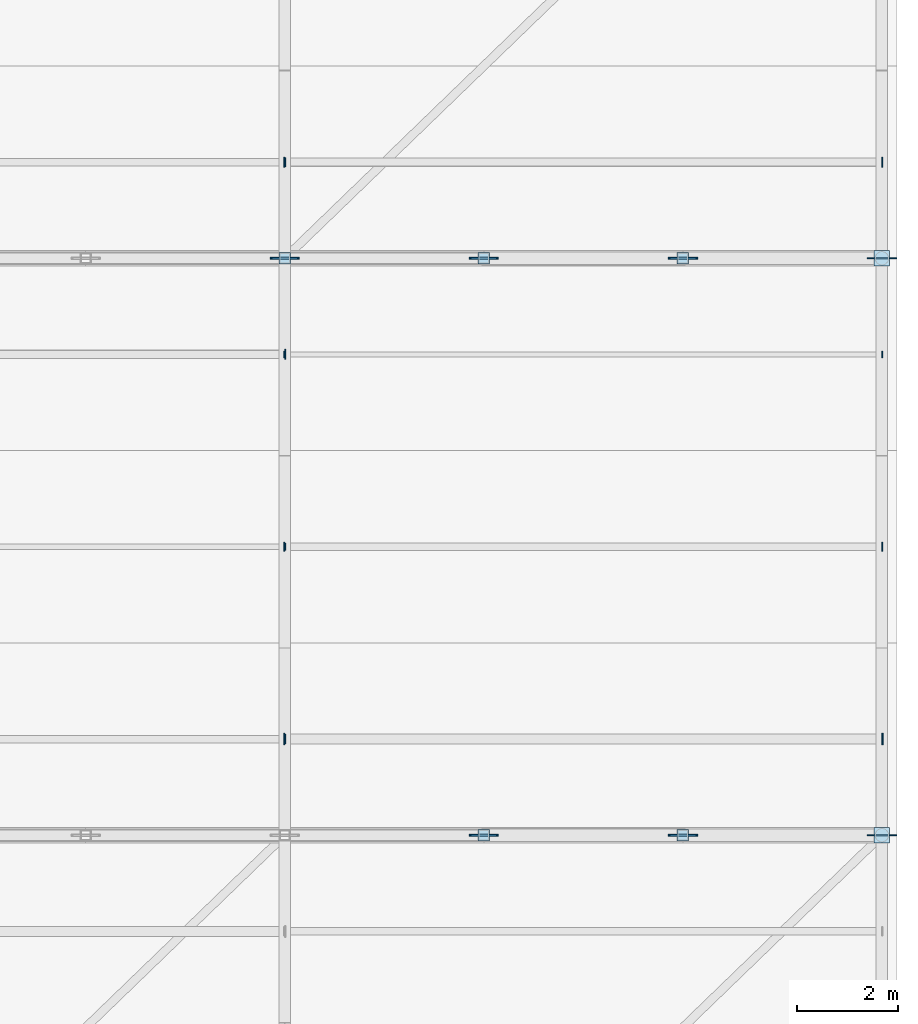
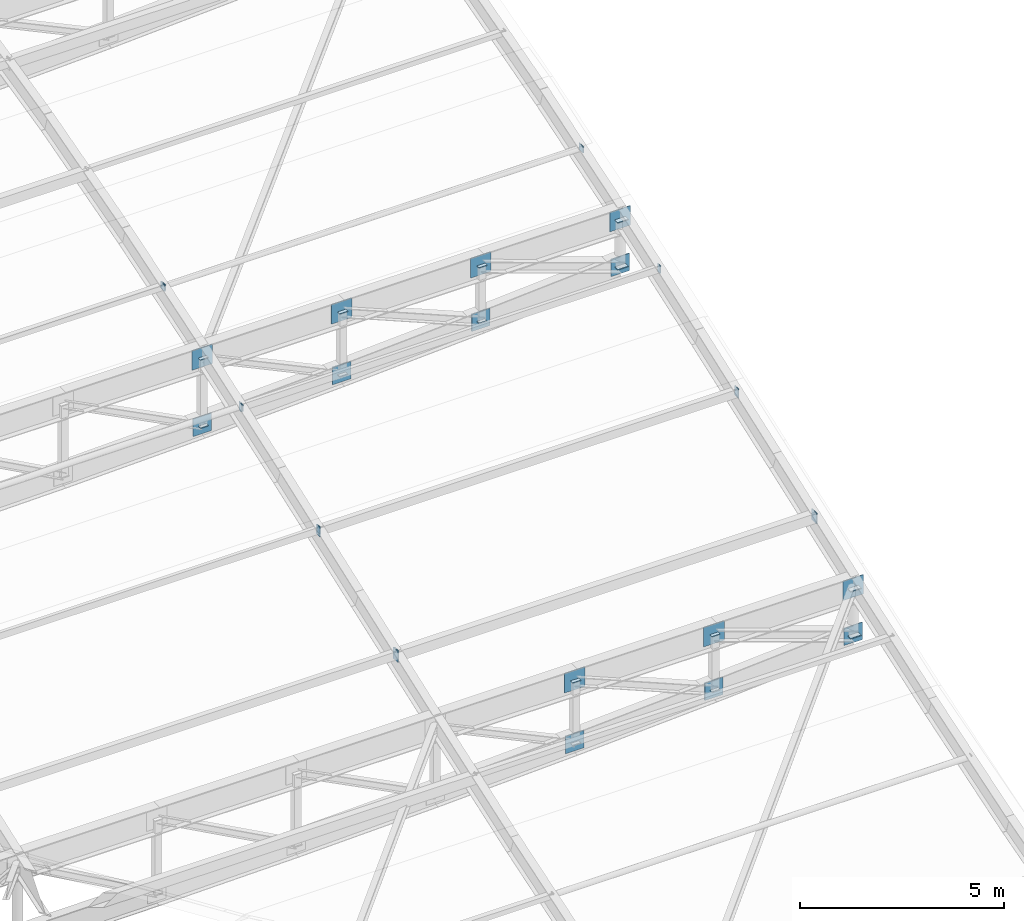
# One storey, part 57 of 65: 40 plates.
"""IFC4 building model written with IfcOpenShell, lengths in metres."""

from ifc_helpers import new_model, si_unit, direction, frame, origin, origin_2d, place, context, subcontext, project, spatial, rectangle, extrude, material, layer, layer_set, type_object, element, save


model = new_model("IFC4")

# Units and contexts
model_context = context("Model", 3, precision=1e-05, world=origin(), true_north=direction((0.0, 1.0)))
body_context = subcontext(model_context, "Body", "Model", "MODEL_VIEW")
ifc_project = project(units=[si_unit("LENGTHUNIT", "METRE"), si_unit("AREAUNIT", "SQUARE_METRE"), si_unit("VOLUMEUNIT", "CUBIC_METRE"), si_unit("PLANEANGLEUNIT", "RADIAN"), si_unit("MASSUNIT", "GRAM", prefix="KILO"), si_unit("POWERUNIT", "WATT"), si_unit("THERMODYNAMICTEMPERATUREUNIT", "KELVIN")], contexts=[model_context])

# Site, building, storey
site_placement = place(None, origin())
site = spatial("IfcSite", under=ifc_project, at=site_placement, CompositionType="ELEMENT")
building_placement = place(site_placement, origin())
building = spatial("IfcBuilding", under=site, at=building_placement, Name="Kelmbourne Parkland Aquatics Centre", CompositionType="ELEMENT")
storey_placement = place(building_placement, frame((0.0, 0.0, 27.0)))
storey = spatial("IfcBuildingStorey", under=building, at=storey_placement, Name="RF", CompositionType="ELEMENT", Elevation=27.0)

# Plates
ifc_material = material(Name="Welded plate steel AS/NZS 3678 Grade 350", Category="steel")
ifc_layer_1 = layer(ifc_material, 0.02001953125)
ifc_layer_set_1 = layer_set([ifc_layer_1], Name="Welded plate steel AS/NZS 3678 Grade 350")
plate_type_1 = type_object("IfcPlateType", Name="PL-CAP-20", PredefinedType="USERDEFINED", material=ifc_layer_set_1)
for number, where, z_axis, x_axis, name in (
    (1, (167.333251953125, 80.60009765625, -9.17626953125), (0.0, 0.0, 1.0), (1.0, 0.0, 0.0), "Hollow end cap plate CAP-0217"),
    (2, (167.333251953125, 80.60009765625, -7.30615234375), (0.0, 0.0, 1.0), (1.0, 0.0, 0.0), "Hollow end cap plate CAP-0218"),
    (3, (171.2666015625, 80.60009765625, -8.9638671875), (0.0, 0.0, 1.0), (1.0, 0.0, 0.0), "Hollow end cap plate CAP-0219"),
    (4, (171.2666015625, 80.60009765625, -7.30615234375), (0.0, 0.0, 1.0), (1.0, 0.0, 0.0), "Hollow end cap plate CAP-0220"),
    (5, (163.39990234375, 92.0, -5.239501953125), (0.0, 0.0, 1.0), (1.0, 0.0, 0.0), "Hollow end cap plate CAP-0241"),
    (6, (163.39990234375, 92.0, -3.203857421875), (0.0, 0.0, 1.0), (1.0, 0.0, 0.0), "Hollow end cap plate CAP-0242"),
    (7, (167.333251953125, 92.0, -5.07421875), (0.0, 0.0, 1.0), (1.0, 0.0, 0.0), "Hollow end cap plate CAP-0243"),
    (8, (167.333251953125, 92.0, -3.203857421875), (0.0, 0.0, 1.0), (1.0, 0.0, 0.0), "Hollow end cap plate CAP-0244"),
    (9, (171.2666015625, 92.0, -4.861572265625), (0.0, 0.0, 1.0), (1.0, 0.0, 0.0), "Hollow end cap plate CAP-0245"),
    (10, (171.2666015625, 92.0, -3.203857421875), (0.0, 0.0, 1.0), (1.0, 0.0, 0.0), "Hollow end cap plate CAP-0246"),
):
    element("IfcPlate", number, at=place(storey_placement, frame(where, z_axis=z_axis, x_axis=x_axis)), inside=storey, type_object=plate_type_1, Name=name, ObjectType="END CAP PLATE", PredefinedType="USERDEFINED", context=body_context, shape_type="SweptSolid", body=[
        extrude(rectangle(XDim=0.22998046875, YDim=0.22998046875, at=origin_2d()), origin(), (0.0, 0.0, 1.0), 0.02001953125),
    ])
plate_1_placement = place(storey_placement, frame((163.408935546875, 82.5, -6.44775390625), z_axis=(0.0, 0.0, 1.0), x_axis=(1.0, 0.0, 0.0)))
element("IfcPlate", 11, at=plate_1_placement, inside=storey, type_object=plate_type_1, Name="Hollow end cap plate CAP-0474", ObjectType="END CAP PLATE", PredefinedType="USERDEFINED", context=body_context, shape_type="SweptSolid", body=[
    extrude(rectangle(XDim=0.02001953125, YDim=0.179931640625, at=origin_2d()), origin(), (0.0, 0.0, 1.0), 0.280029296875),
])
plate_2_placement = place(storey_placement, frame((163.408935546875, 86.300048828125, -5.012451171875), z_axis=(0.0, 0.0, 1.0), x_axis=(1.0, 0.0, 0.0)))
element("IfcPlate", 12, at=plate_2_placement, inside=storey, type_object=plate_type_1, Name="Hollow end cap plate CAP-0482", ObjectType="END CAP PLATE", PredefinedType="USERDEFINED", context=body_context, shape_type="SweptSolid", body=[
    extrude(rectangle(XDim=0.02001953125, YDim=0.1298828125, at=origin_2d()), origin(), (0.0, 0.0, 1.0), 0.22998046875),
])
for number, where, z_axis, x_axis, name in (
    (13, (163.39111328125, 86.300048828125, -5.0625), (0.0, 0.0, 1.0), (-1.0, 0.0, 0.0), "Hollow end cap plate CAP-0483"),
    (14, (175.208984375, 86.300048828125, -5.0625), (0.0, 0.0, 1.0), (1.0, 0.0, 0.0), "Hollow end cap plate CAP-0484"),
):
    element("IfcPlate", number, at=place(storey_placement, frame(where, z_axis=z_axis, x_axis=x_axis)), inside=storey, type_object=plate_type_1, Name=name, ObjectType="END CAP PLATE", PredefinedType="USERDEFINED", context=body_context, shape_type="SweptSolid", body=[
        extrude(rectangle(XDim=0.02001953125, YDim=0.179931640625, at=origin_2d()), origin(), (0.0, 0.0, 1.0), 0.280029296875),
    ])
plate_3_placement = place(storey_placement, frame((163.408935546875, 90.10009765625, -3.622314453125), z_axis=(0.0, 0.0, 1.0), x_axis=(1.0, 0.0, 0.0)))
element("IfcPlate", 15, at=plate_3_placement, inside=storey, type_object=plate_type_1, Name="Hollow end cap plate CAP-0490", ObjectType="END CAP PLATE", PredefinedType="USERDEFINED", context=body_context, shape_type="SweptSolid", body=[
    extrude(rectangle(XDim=0.02001953125, YDim=0.1982421875, at=origin_2d()), origin(), (0.0, 0.0, 1.0), 0.1982421875),
])
for number, where, z_axis, x_axis, name in (
    (16, (163.39111328125, 90.10009765625, -3.65380859375), (0.0, 0.0, 1.0), (-1.0, 0.0, 0.0), "Hollow end cap plate CAP-0491"),
    (17, (175.208984375, 90.10009765625, -3.65380859375), (0.0, 0.0, 1.0), (1.0, 0.0, 0.0), "Hollow end cap plate CAP-0492"),
):
    element("IfcPlate", number, at=place(storey_placement, frame(where, z_axis=z_axis, x_axis=x_axis)), inside=storey, type_object=plate_type_1, Name=name, ObjectType="END CAP PLATE", PredefinedType="USERDEFINED", context=body_context, shape_type="SweptSolid", body=[
        extrude(rectangle(XDim=0.02001953125, YDim=0.1298828125, at=origin_2d()), origin(), (0.0, 0.0, 1.0), 0.22998046875),
    ])
plate_4_placement = place(storey_placement, frame((163.408935546875, 93.89990234375, -2.32421875), z_axis=(0.0, 0.0, 1.0), x_axis=(1.0, 0.0, 0.0)))
element("IfcPlate", 18, at=plate_4_placement, inside=storey, type_object=plate_type_1, Name="Hollow end cap plate CAP-0498", ObjectType="END CAP PLATE", PredefinedType="USERDEFINED", context=body_context, shape_type="SweptSolid", body=[
    extrude(rectangle(XDim=0.02001953125, YDim=0.179931640625, at=origin_2d()), origin(), (0.0, 0.0, 1.0), 0.179931640625),
])
for number, where, z_axis, x_axis, name in (
    (19, (163.39111328125, 93.89990234375, -2.342529296875), (0.0, 0.0, 1.0), (-1.0, 0.0, 0.0), "Hollow end cap plate CAP-0499"),
    (20, (175.208984375, 93.89990234375, -2.342529296875), (0.0, 0.0, 1.0), (1.0, 0.0, 0.0), "Hollow end cap plate CAP-0500"),
):
    element("IfcPlate", number, at=place(storey_placement, frame(where, z_axis=z_axis, x_axis=x_axis)), inside=storey, type_object=plate_type_1, Name=name, ObjectType="END CAP PLATE", PredefinedType="USERDEFINED", context=body_context, shape_type="SweptSolid", body=[
        extrude(rectangle(XDim=0.02001953125, YDim=0.1982421875, at=origin_2d()), origin(), (0.0, 0.0, 1.0), 0.1982421875),
    ])
ifc_layer_2 = layer(ifc_material, 0.02392578125)
ifc_layer_set_2 = layer_set([ifc_layer_2], Name="Welded plate steel AS/NZS 3678 Grade 350")
plate_type_2 = type_object("IfcPlateType", Name="PL-CAP-24", PredefinedType="USERDEFINED", material=ifc_layer_set_2)
for number, where, z_axis, x_axis, name in (
    (21, (175.199951171875, 80.60009765625, -8.7080078125), (0.0, 0.0, 1.0), (1.0, 0.0, 0.0), "Hollow end cap plate CAP-0221"),
    (22, (175.199951171875, 80.60009765625, -7.30615234375), (0.0, 0.0, 1.0), (1.0, 0.0, 0.0), "Hollow end cap plate CAP-0222"),
    (23, (175.199951171875, 92.0, -4.60595703125), (0.0, 0.0, 1.0), (1.0, 0.0, 0.0), "Hollow end cap plate CAP-0247"),
    (24, (175.199951171875, 92.0, -3.203857421875), (0.0, 0.0, 1.0), (1.0, 0.0, 0.0), "Hollow end cap plate CAP-0248"),
):
    element("IfcPlate", number, at=place(storey_placement, frame(where, z_axis=z_axis, x_axis=x_axis)), inside=storey, type_object=plate_type_2, Name=name, ObjectType="END CAP PLATE", PredefinedType="USERDEFINED", context=body_context, shape_type="SweptSolid", body=[
        extrude(rectangle(XDim=0.302978515625, YDim=0.302978515625, at=origin_2d()), origin(), (0.0, 0.0, 1.0), 0.02392578125),
    ])
for number, where, z_axis, x_axis, name in (
    (25, (163.388916015625, 82.5, -6.49755859375), (0.0, 0.0, 1.0), (-1.0, 0.0, 0.0), "Hollow end cap plate CAP-0475"),
    (26, (175.2109375, 82.5, -6.49755859375), (0.0, 0.0, 1.0), (1.0, 0.0, 0.0), "Hollow end cap plate CAP-0476"),
):
    element("IfcPlate", number, at=place(storey_placement, frame(where, z_axis=z_axis, x_axis=x_axis)), inside=storey, type_object=plate_type_2, Name=name, ObjectType="END CAP PLATE", PredefinedType="USERDEFINED", context=body_context, shape_type="SweptSolid", body=[
        extrude(rectangle(XDim=0.02392578125, YDim=0.22998046875, at=origin_2d()), origin(), (0.0, 0.0, 1.0), 0.330078125),
    ])
ifc_layer_3 = layer(ifc_material, 0.02001953125)
ifc_layer_set_3 = layer_set([ifc_layer_3], Name="Welded plate steel AS/NZS 3678 Grade 350")
plate_type_3 = type_object("IfcPlateType", Name="PL-GUS-1", PredefinedType="USERDEFINED", material=ifc_layer_set_3)
plate_5_placement = place(storey_placement, frame((175.199951171875, 80.60009765625, -7.59521484375), z_axis=(0.0, 0.0, 1.0), x_axis=(1.0, 0.0, 0.0)))
element("IfcPlate", 27, at=plate_5_placement, inside=storey, type_object=plate_type_3, Name="Truss top node TN-1 gusset plate R07-N12", ObjectType="GUSSET PLATE", PredefinedType="USERDEFINED", context=body_context, shape_type="SweptSolid", body=[
    extrude(rectangle(XDim=0.580078125, YDim=0.02001953125, at=origin_2d()), origin(), (0.0, 0.0, 1.0), 0.580078125),
])
plate_6_placement = place(storey_placement, frame((175.199951171875, 80.60009765625, -8.945068359375), z_axis=(0.0, 0.0, 1.0), x_axis=(1.0, 0.0, 0.0)))
element("IfcPlate", 28, at=plate_6_placement, inside=storey, type_object=plate_type_3, Name="Truss bottom node TN-1 gusset plate R07-B12", ObjectType="GUSSET PLATE", PredefinedType="USERDEFINED", context=body_context, shape_type="SweptSolid", body=[
    extrude(rectangle(XDim=0.52001953125, YDim=0.02001953125, at=origin_2d()), origin(), (0.0, 0.0, 1.0), 0.52001953125),
])
plate_7_placement = place(storey_placement, frame((175.199951171875, 92.0, -3.492919921875), z_axis=(0.0, 0.0, 1.0), x_axis=(1.0, 0.0, 0.0)))
element("IfcPlate", 29, at=plate_7_placement, inside=storey, type_object=plate_type_3, Name="Truss top node TN-1 gusset plate R08-N12", ObjectType="GUSSET PLATE", PredefinedType="USERDEFINED", context=body_context, shape_type="SweptSolid", body=[
    extrude(rectangle(XDim=0.580078125, YDim=0.02001953125, at=origin_2d()), origin(), (0.0, 0.0, 1.0), 0.580078125),
])
plate_8_placement = place(storey_placement, frame((175.199951171875, 92.0, -4.843017578125), z_axis=(0.0, 0.0, 1.0), x_axis=(1.0, 0.0, 0.0)))
element("IfcPlate", 30, at=plate_8_placement, inside=storey, type_object=plate_type_3, Name="Truss bottom node TN-1 gusset plate R08-B12", ObjectType="GUSSET PLATE", PredefinedType="USERDEFINED", context=body_context, shape_type="SweptSolid", body=[
    extrude(rectangle(XDim=0.52001953125, YDim=0.02001953125, at=origin_2d()), origin(), (0.0, 0.0, 1.0), 0.52001953125),
])
ifc_layer_4 = layer(ifc_material, 0.031982421875)
ifc_layer_set_4 = layer_set([ifc_layer_4], Name="Welded plate steel AS/NZS 3678 Grade 350")
plate_type_4 = type_object("IfcPlateType", Name="PL-GUS-3", PredefinedType="USERDEFINED", material=ifc_layer_set_4)
plate_9_placement = place(storey_placement, frame((167.333251953125, 80.60009765625, -7.59521484375), z_axis=(0.0, 0.0, 1.0), x_axis=(1.0, 0.0, 0.0)))
element("IfcPlate", 31, at=plate_9_placement, inside=storey, type_object=plate_type_4, Name="Truss top node TN-3 gusset plate R07-N10", ObjectType="GUSSET PLATE", PredefinedType="USERDEFINED", context=body_context, shape_type="SweptSolid", body=[
    extrude(rectangle(XDim=0.580078125, YDim=0.031982421875, at=origin_2d()), origin(), (0.0, 0.0, 1.0), 0.580078125),
])
plate_10_placement = place(storey_placement, frame((167.333251953125, 80.60009765625, -9.417236328125), z_axis=(0.0, 0.0, 1.0), x_axis=(1.0, 0.0, 0.0)))
element("IfcPlate", 32, at=plate_10_placement, inside=storey, type_object=plate_type_4, Name="Truss bottom node TN-3 gusset plate R07-B10", ObjectType="GUSSET PLATE", PredefinedType="USERDEFINED", context=body_context, shape_type="SweptSolid", body=[
    extrude(rectangle(XDim=0.52001953125, YDim=0.031982421875, at=origin_2d()), origin(), (0.0, 0.0, 1.0), 0.52001953125),
])
plate_11_placement = place(storey_placement, frame((171.2666015625, 80.60009765625, -7.59521484375), z_axis=(0.0, 0.0, 1.0), x_axis=(1.0, 0.0, 0.0)))
element("IfcPlate", 33, at=plate_11_placement, inside=storey, type_object=plate_type_4, Name="Truss top node TN-3 gusset plate R07-N11", ObjectType="GUSSET PLATE", PredefinedType="USERDEFINED", context=body_context, shape_type="SweptSolid", body=[
    extrude(rectangle(XDim=0.580078125, YDim=0.031982421875, at=origin_2d()), origin(), (0.0, 0.0, 1.0), 0.580078125),
])
plate_12_placement = place(storey_placement, frame((171.2666015625, 80.60009765625, -9.204833984375), z_axis=(0.0, 0.0, 1.0), x_axis=(1.0, 0.0, 0.0)))
element("IfcPlate", 34, at=plate_12_placement, inside=storey, type_object=plate_type_4, Name="Truss bottom node TN-3 gusset plate R07-B11", ObjectType="GUSSET PLATE", PredefinedType="USERDEFINED", context=body_context, shape_type="SweptSolid", body=[
    extrude(rectangle(XDim=0.52001953125, YDim=0.031982421875, at=origin_2d()), origin(), (0.0, 0.0, 1.0), 0.52001953125),
])
plate_13_placement = place(storey_placement, frame((163.39990234375, 92.0, -3.492919921875), z_axis=(0.0, 0.0, 1.0), x_axis=(1.0, 0.0, 0.0)))
element("IfcPlate", 35, at=plate_13_placement, inside=storey, type_object=plate_type_4, Name="Truss top node TN-3 gusset plate R08-N9", ObjectType="GUSSET PLATE", PredefinedType="USERDEFINED", context=body_context, shape_type="SweptSolid", body=[
    extrude(rectangle(XDim=0.580078125, YDim=0.031982421875, at=origin_2d()), origin(), (0.0, 0.0, 1.0), 0.580078125),
])
plate_14_placement = place(storey_placement, frame((163.39990234375, 92.0, -5.48046875), z_axis=(0.0, 0.0, 1.0), x_axis=(1.0, 0.0, 0.0)))
element("IfcPlate", 36, at=plate_14_placement, inside=storey, type_object=plate_type_4, Name="Truss bottom node TN-3 gusset plate R08-B9", ObjectType="GUSSET PLATE", PredefinedType="USERDEFINED", context=body_context, shape_type="SweptSolid", body=[
    extrude(rectangle(XDim=0.52001953125, YDim=0.031982421875, at=origin_2d()), origin(), (0.0, 0.0, 1.0), 0.52001953125),
])
plate_15_placement = place(storey_placement, frame((167.333251953125, 92.0, -3.492919921875), z_axis=(0.0, 0.0, 1.0), x_axis=(1.0, 0.0, 0.0)))
element("IfcPlate", 37, at=plate_15_placement, inside=storey, type_object=plate_type_4, Name="Truss top node TN-3 gusset plate R08-N10", ObjectType="GUSSET PLATE", PredefinedType="USERDEFINED", context=body_context, shape_type="SweptSolid", body=[
    extrude(rectangle(XDim=0.580078125, YDim=0.031982421875, at=origin_2d()), origin(), (0.0, 0.0, 1.0), 0.580078125),
])
plate_16_placement = place(storey_placement, frame((167.333251953125, 92.0, -5.315185546875), z_axis=(0.0, 0.0, 1.0), x_axis=(1.0, 0.0, 0.0)))
element("IfcPlate", 38, at=plate_16_placement, inside=storey, type_object=plate_type_4, Name="Truss bottom node TN-3 gusset plate R08-B10", ObjectType="GUSSET PLATE", PredefinedType="USERDEFINED", context=body_context, shape_type="SweptSolid", body=[
    extrude(rectangle(XDim=0.52001953125, YDim=0.031982421875, at=origin_2d()), origin(), (0.0, 0.0, 1.0), 0.52001953125),
])
plate_17_placement = place(storey_placement, frame((171.2666015625, 92.0, -3.492919921875), z_axis=(0.0, 0.0, 1.0), x_axis=(1.0, 0.0, 0.0)))
element("IfcPlate", 39, at=plate_17_placement, inside=storey, type_object=plate_type_4, Name="Truss top node TN-3 gusset plate R08-N11", ObjectType="GUSSET PLATE", PredefinedType="USERDEFINED", context=body_context, shape_type="SweptSolid", body=[
    extrude(rectangle(XDim=0.580078125, YDim=0.031982421875, at=origin_2d()), origin(), (0.0, 0.0, 1.0), 0.580078125),
])
plate_18_placement = place(storey_placement, frame((171.2666015625, 92.0, -5.1025390625), z_axis=(0.0, 0.0, 1.0), x_axis=(1.0, 0.0, 0.0)))
element("IfcPlate", 40, at=plate_18_placement, inside=storey, type_object=plate_type_4, Name="Truss bottom node TN-3 gusset plate R08-B11", ObjectType="GUSSET PLATE", PredefinedType="USERDEFINED", context=body_context, shape_type="SweptSolid", body=[
    extrude(rectangle(XDim=0.52001953125, YDim=0.031982421875, at=origin_2d()), origin(), (0.0, 0.0, 1.0), 0.52001953125),
])

save(model, "model.ifc")
